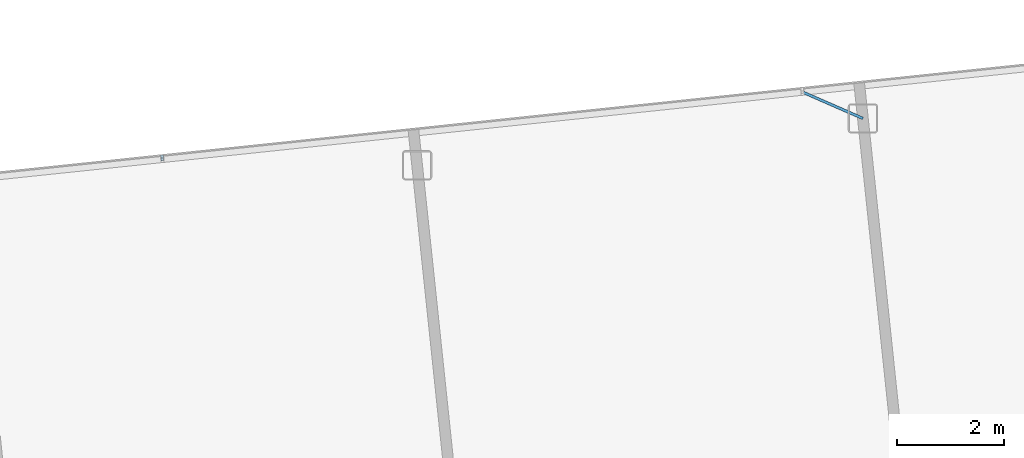
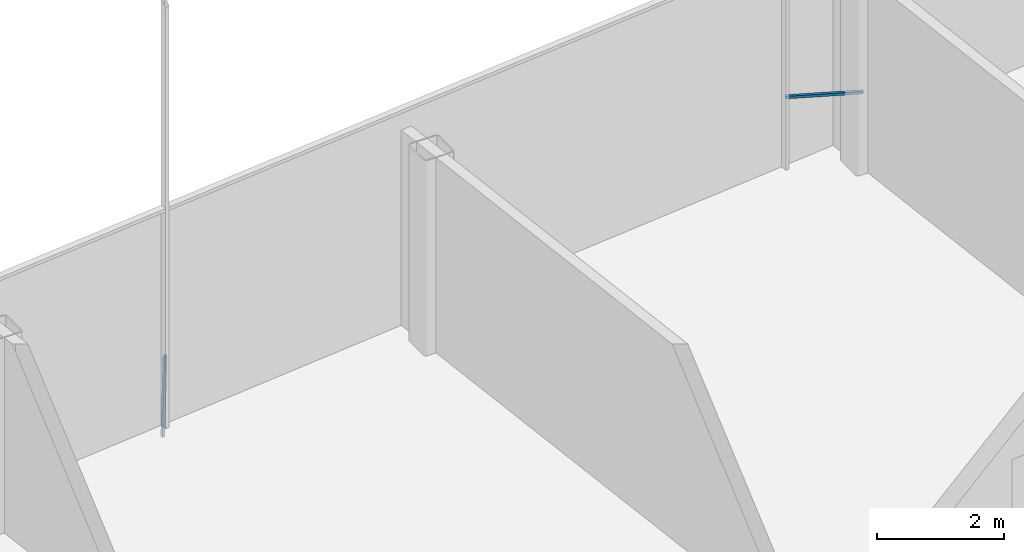
# One storey, part 25 of 41: 2 discrete accessories.
"""IFC4 building model written with IfcOpenShell, lengths in metres."""

from ifc_helpers import new_model, si_unit, direction, frame, origin, origin_2d, place, context, subcontext, project, spatial, rectangle, extrude, material, material_profile, profile_set, type_object, element, save


model = new_model("IFC4")

# Units and contexts
model_context = context("Model", 3, precision=1e-05, world=origin(), true_north=direction((0.0, 1.0)))
body_context = subcontext(model_context, "Body", "Model", "MODEL_VIEW")
ifc_project = project(units=[si_unit("LENGTHUNIT", "METRE"), si_unit("AREAUNIT", "SQUARE_METRE"), si_unit("VOLUMEUNIT", "CUBIC_METRE"), si_unit("PLANEANGLEUNIT", "RADIAN"), si_unit("MASSUNIT", "GRAM", prefix="KILO")], contexts=[model_context])

# Site, building, storey
site_placement = place(None, origin())
site = spatial("IfcSite", under=ifc_project, at=site_placement, CompositionType="ELEMENT")
building_placement = place(site_placement, origin())
building = spatial("IfcBuilding", under=site, at=building_placement, Name="Hakoniwa Tower and Hamabe Station Hall", CompositionType="ELEMENT")
storey_placement = place(building_placement, frame((0.0, 0.0, 276.60009765625)))
storey = spatial("IfcBuildingStorey", under=building, at=storey_placement, Name="L77", CompositionType="ELEMENT", Elevation=276.60009765625)

# Discrete accessories
ifc_material = material(Name="Stainless steel SUS304", Category="steel")
ifc_material_profile = material_profile(ifc_material, rectangle(XDim=0.050048828125, YDim=0.050048828125, at=origin_2d()), Name="CW-4 GLAZING BRACKET 50X50")
ifc_profile_set = profile_set([ifc_material_profile], Name="Stainless steel SUS304")
discrete_accessory_type = type_object("IfcDiscreteAccessoryType", Name="CW-4 GLAZING BRACKET 50X50", PredefinedType="BRACKET", material=ifc_profile_set)
discrete_accessory_1_placement = place(storey_placement, frame((10.1982421875, 20.876708984375, 1.366455078125), z_axis=(-0.003832232437, 0.037402588583, -0.999292930207), x_axis=(-0.994792043555, -0.101925414299, 0.0)))
element("IfcDiscreteAccessory", 1, at=discrete_accessory_1_placement, inside=storey, type_object=discrete_accessory_type, Name="Glazing bracket", PredefinedType="BRACKET", context=body_context, shape_type="SweptSolid", body=[
    extrude(rectangle(XDim=0.050048828125, YDim=0.050048828125, at=origin_2d()), origin(), (0.0, 0.0, 1.0), 1.5927734375),
])
discrete_accessory_2_placement = place(storey_placement, frame((22.195556640625, 22.1376953125, 1.366455078125), z_axis=(0.916329705794, -0.40042461248, 0.0), x_axis=(0.40042461248, 0.916329705794, 0.0)))
element("IfcDiscreteAccessory", 2, at=discrete_accessory_2_placement, inside=storey, type_object=discrete_accessory_type, Name="Glazing bracket", PredefinedType="BRACKET", context=body_context, shape_type="SweptSolid", body=[
    extrude(rectangle(XDim=0.050048828125, YDim=0.050048828125, at=origin_2d()), origin(), (0.0, 0.0, 1.0), 1.234619140625),
])

save(model, "model.ifc")
